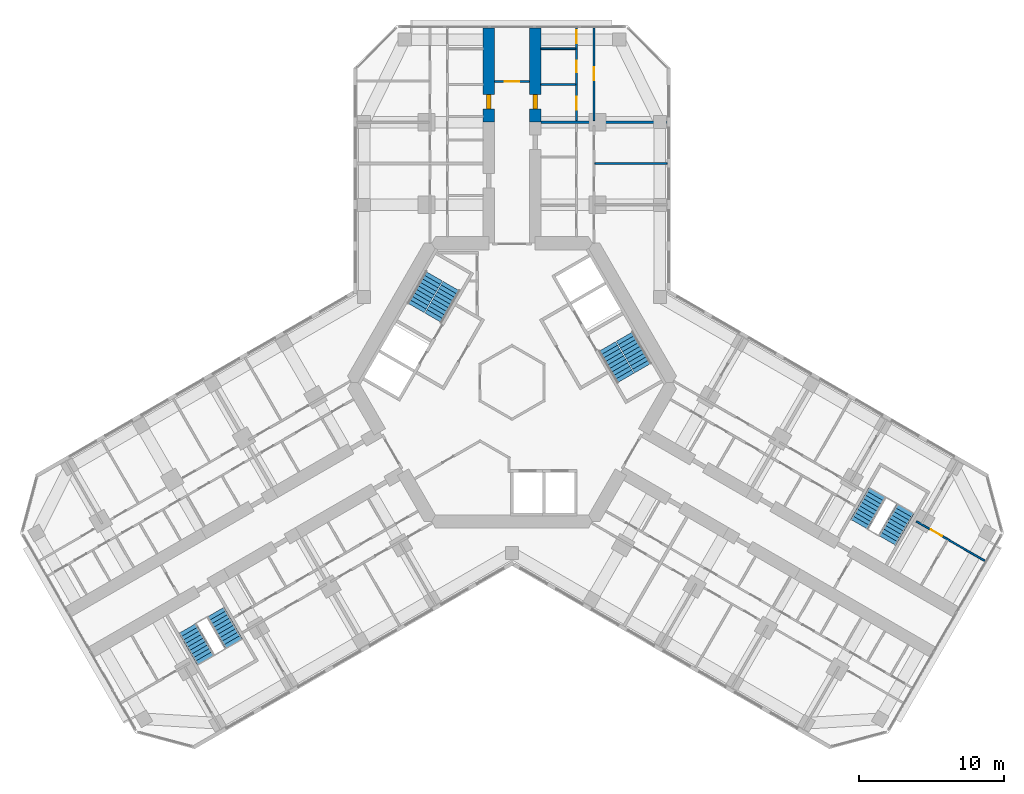
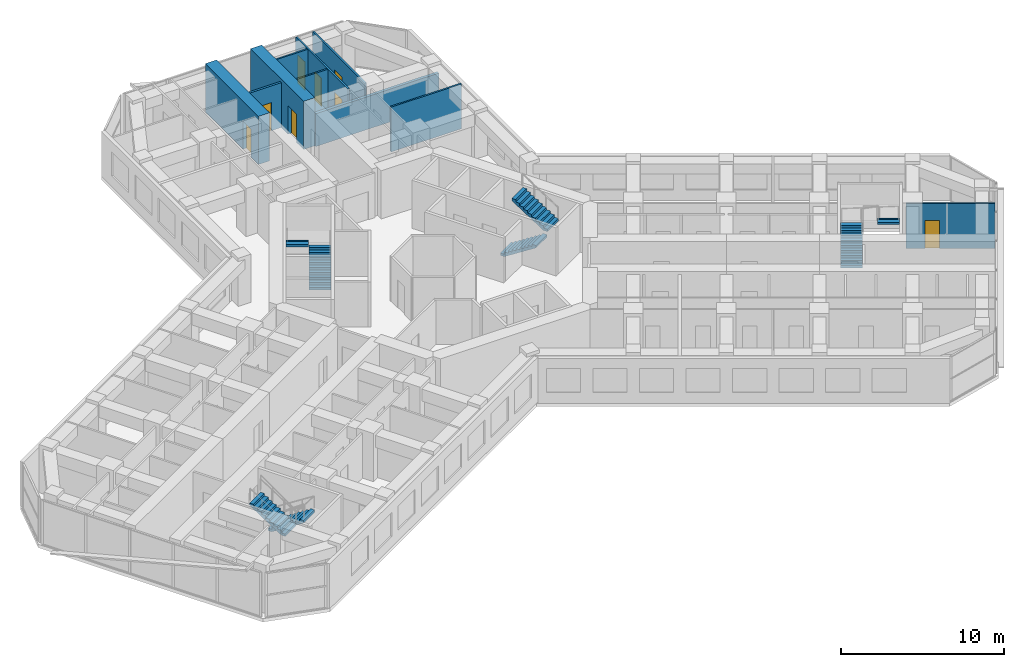
# One storey, part 18 of 19: 10 walls, 8 doors, 8 stair flights, 8 openings, 4 elements without a shape of their own.
"""IFC4 building model written with IfcOpenShell, lengths in metres."""

import ifcopenshell
import ifcopenshell.guid

model = None  # the IFC model being written
_history = None  # IfcOwnerHistory: only IFC2X3 demands one
_inside = {}  # id of a spatial element -> (the spatial element, [elements in it])
_under = {}  # id of a project, library or spatial element -> (it, [spatial elements below it])
_declared = {}  # id of a project -> (the project, [libraries it declares])
_typed = {}  # id of a type object -> (the type object, [elements of that type])
_made_of = {}  # id of a material, layer set ... -> (it, [elements and type objects made of it])


def new_model(schema):
    """Start an empty IFC model of exactly this schema.

    Asked for "IFC4X3", IfcOpenShell would pick the latest addendum, in which some entities
    have other attributes; the version numbers below select the first issue.
    IFC2X3 requires an IfcOwnerHistory on every rooted entity: one is made here for all.
    """
    global model, _history
    if schema == "IFC4X3":
        model = ifcopenshell.file(schema_version=(4, 3, 0, 0))
    else:
        model = ifcopenshell.file(schema=schema)
    _inside.clear()
    _under.clear()
    _declared.clear()
    _typed.clear()
    _made_of.clear()
    _history = None
    if model.schema == "IFC2X3":
        org = make("IfcOrganization", Name="unknown")
        user = make(
            "IfcPersonAndOrganization",
            ThePerson=make("IfcPerson", FamilyName="unknown"),
            TheOrganization=org,
        )
        app = make(
            "IfcApplication",
            ApplicationDeveloper=org,
            Version="unknown",
            ApplicationFullName="unknown",
            ApplicationIdentifier="unknown",
        )
        _history = make(
            "IfcOwnerHistory",
            OwningUser=user,
            OwningApplication=app,
            ChangeAction="ADDED",
            CreationDate=0,
        )
    return model


def make(cls, **values):
    """One entity of the class cls with the attributes given. An attribute that is None is left unset."""
    return model.create_entity(
        cls, **{name: value for name, value in values.items() if value is not None}
    )


def rooted(cls, **values):
    """An entity with a GlobalId (a new one), such as an element, a storey or a relation."""
    return make(cls, GlobalId=ifcopenshell.guid.new(), OwnerHistory=_history, **values)


def si_unit(unit_type, name, prefix=None):
    """IfcSIUnit, for example si_unit("LENGTHUNIT", "METRE", prefix="MILLI")."""
    return make("IfcSIUnit", UnitType=unit_type, Prefix=prefix, Name=name)


def assignment(units):
    """IfcUnitAssignment: the units of a project."""
    return None if units is None else make("IfcUnitAssignment", Units=units)


def point(xyz):
    """IfcCartesianPoint."""
    return None if xyz is None else make("IfcCartesianPoint", Coordinates=xyz)


def direction(xyz):
    """IfcDirection."""
    return None if xyz is None else make("IfcDirection", DirectionRatios=xyz)


def frame(location, z_axis=None, x_axis=None):
    """IfcAxis2Placement3D, a coordinate frame: its origin and axes. An axis left out is left unset."""
    return make(
        "IfcAxis2Placement3D",
        Location=point(location),
        Axis=direction(z_axis),
        RefDirection=direction(x_axis),
    )


def frame_2d(location, x_axis=None):
    """IfcAxis2Placement2D, a coordinate frame in the plane: its origin and x axis."""
    return make(
        "IfcAxis2Placement2D", Location=point(location), RefDirection=direction(x_axis)
    )


def origin():
    """The frame at (0, 0, 0) with its axes left unset."""
    return frame((0.0, 0.0, 0.0))


def place(relative_to, where):
    """IfcLocalPlacement: puts the frame where relative to a parent placement (None: the world)."""
    return make(
        "IfcLocalPlacement", PlacementRelTo=relative_to, RelativePlacement=where
    )


def context(
    kind, dimensions, precision=None, world=None, true_north=None, identifier=None
):
    """IfcGeometricRepresentationContext, for example the 3D "Model" context."""
    return make(
        "IfcGeometricRepresentationContext",
        ContextIdentifier=identifier,
        ContextType=kind,
        CoordinateSpaceDimension=dimensions,
        Precision=precision,
        WorldCoordinateSystem=world,
        TrueNorth=true_north,
    )


def subcontext(parent, identifier, kind, view, scale=None):
    """IfcGeometricRepresentationSubContext, for example "Body" below "Model"."""
    return make(
        "IfcGeometricRepresentationSubContext",
        ContextIdentifier=identifier,
        ContextType=kind,
        ParentContext=parent,
        TargetScale=scale,
        TargetView=view,
    )


def project(units=None, contexts=None):
    """IfcProject with its units and contexts."""
    return rooted(
        "IfcProject",
        Name="project",
        RepresentationContexts=contexts,
        UnitsInContext=assignment(units),
    )


def spatial(cls, under=None, at=None, **own):
    """A site, building, storey or space (cls), placed at a placement, below another one or the project."""
    s = rooted(cls, ObjectPlacement=at, **own)
    if under is not None:
        _under.setdefault(under.id(), (under, []))[1].append(s)
    return s


def polyline(points):
    """IfcPolyline through the points."""
    return make("IfcPolyline", Points=[point(p) for p in points])


def profile(cls, at=None, kind="AREA", **sizes):
    """A parametric profile (cls). Its sizes go by their IFC names, for example OverallWidth=200.0."""
    return make(cls, ProfileType=kind, Position=at, **sizes)


def rectangle(**sizes):
    """IfcRectangleProfileDef."""
    return profile("IfcRectangleProfileDef", **sizes)


def outline(outer, holes=None, kind="AREA"):
    """IfcArbitraryClosedProfileDef: a profile drawn as a closed curve; with holes, ...WithVoids."""
    if holes is None:
        return make("IfcArbitraryClosedProfileDef", ProfileType=kind, OuterCurve=outer)
    return make(
        "IfcArbitraryProfileDefWithVoids",
        ProfileType=kind,
        OuterCurve=outer,
        InnerCurves=holes,
    )


def extrude(swept, where, along, depth):
    """IfcExtrudedAreaSolid: the profile swept, set in the frame where, extruded along a direction by depth."""
    return make(
        "IfcExtrudedAreaSolid",
        SweptArea=swept,
        Position=where,
        ExtrudedDirection=direction(along),
        Depth=depth,
    )


def shape(context_of_items, identifier, shape_type, items):
    """IfcShapeRepresentation: the items that make up one representation, for example the "Body"."""
    return make(
        "IfcShapeRepresentation",
        ContextOfItems=context_of_items,
        RepresentationIdentifier=identifier,
        RepresentationType=shape_type,
        Items=items,
    )


def material(Name=None, Category=None):
    """IfcMaterial."""
    return make("IfcMaterial", Name=Name, Category=Category)


def layer(
    of_material, thickness, ventilated=None, Name=None, Category=None, Priority=None
):
    """IfcMaterialLayer: one layer of a wall or slab, of a material (None: an air gap)."""
    return make(
        "IfcMaterialLayer",
        Material=of_material,
        LayerThickness=thickness,
        IsVentilated=ventilated,
        Name=Name,
        Category=Category,
        Priority=Priority,
    )


def layer_set(layers, Name=None):
    """IfcMaterialLayerSet."""
    return make("IfcMaterialLayerSet", MaterialLayers=layers, LayerSetName=Name)


def made_of(thing, what):
    """Note that an element or type object is made of a material, layer set ...; save() writes the relation."""
    if what is not None:
        _made_of.setdefault(what.id(), (what, []))[1].append(thing)
    return thing


def type_object(cls, material=None, **own):
    """A type object (cls), such as IfcWallType, which elements share."""
    return made_of(rooted(cls, **own), material)


def element(
    cls,
    number,
    at=None,
    inside=None,
    cuts=None,
    type_object=None,
    material=None,
    context=None,
    identifier="Body",
    shape_type=None,
    held_by="IfcProductDefinitionShape",
    body=None,
    shapes=None,
    **own,
):
    """One element of the class cls, such as IfcWall. Its Tag is "e" and its number.

    at: its placement. inside: the storey or other place that contains it. cuts: it is an
    opening in that element (IfcRelVoidsElement). A single representation is given by context,
    identifier, shape_type and body (its items); several are given by shapes. held_by: the class
    of the entity that holds the representations. save() writes the other relations.
    """
    e = rooted(cls, Tag="e%d" % number, ObjectPlacement=at, **own)
    if body is not None:
        shapes = [shape(context, identifier, shape_type, body)]
    if shapes is not None:
        e.Representation = make(held_by, Representations=shapes)
    if inside is not None:
        _inside.setdefault(inside.id(), (inside, []))[1].append(e)
    if cuts is not None:
        rooted(
            "IfcRelVoidsElement", RelatingBuildingElement=cuts, RelatedOpeningElement=e
        )
    if type_object is not None:
        _typed.setdefault(type_object.id(), (type_object, []))[1].append(e)
    return made_of(e, material)


def fill(opening, filler):
    """IfcRelFillsElement: the door or window that sits in an opening."""
    return rooted(
        "IfcRelFillsElement",
        RelatingOpeningElement=opening,
        RelatedBuildingElement=filler,
    )


def aggregate(whole, parts):
    """IfcRelAggregates: a whole, such as a stair, and the parts it consists of."""
    return rooted("IfcRelAggregates", RelatingObject=whole, RelatedObjects=parts)


def save(model, path):
    """Write the relations noted so far, then the file.

    IfcRelAggregates (storeys below a building ...), IfcRelContainedInSpatialStructure (elements
    in a storey), IfcRelDefinesByType, IfcRelAssociatesMaterial and IfcRelDeclares: one each for
    every whole, place, type object, material and project.
    """
    for whole, parts in _under.values():
        aggregate(whole, parts)
    for where, things in _inside.values():
        rooted(
            "IfcRelContainedInSpatialStructure",
            RelatedElements=things,
            RelatingStructure=where,
        )
    for kind, things in _typed.values():
        rooted("IfcRelDefinesByType", RelatedObjects=things, RelatingType=kind)
    for what, things in _made_of.values():
        rooted("IfcRelAssociatesMaterial", RelatedObjects=things, RelatingMaterial=what)
    for by, libraries in _declared.values():
        rooted("IfcRelDeclares", RelatingContext=by, RelatedDefinitions=libraries)
    model.write(path)


model = new_model("IFC4")

# Units and contexts
model_context = context("Model", 3, precision=1e-05, world=origin(), true_north=direction((0.0, 1.0)))
body_context = subcontext(model_context, "Body", "Model", "MODEL_VIEW")
ifc_project = project(units=[si_unit("LENGTHUNIT", "METRE"), si_unit("AREAUNIT", "SQUARE_METRE"), si_unit("VOLUMEUNIT", "CUBIC_METRE"), si_unit("PLANEANGLEUNIT", "RADIAN"), si_unit("MASSUNIT", "GRAM", prefix="KILO")], contexts=[model_context])

# Site, building, storey
site_placement = place(None, origin())
site = spatial("IfcSite", under=ifc_project, at=site_placement, CompositionType="ELEMENT")
building_placement = place(site_placement, origin())
building = spatial("IfcBuilding", under=site, at=building_placement, Name="Kosmar Iwan School Tower", CompositionType="ELEMENT")
storey_placement = place(building_placement, frame((0.0, 0.0, 161.60009765625)))
storey = spatial("IfcBuildingStorey", under=building, at=storey_placement, Name="L40", CompositionType="ELEMENT", Elevation=161.60009765625)

# Wall, opening, door
ifc_material_1 = material(Name="Concrete C50/60", Category="concrete")
ifc_layer_1 = layer(ifc_material_1, 0.800048828125)
ifc_layer_set_1 = layer_set([ifc_layer_1], Name="Corridor buttress wall 800")
wall_type_1 = type_object("IfcWallType", Name="Corridor buttress wall 800", PredefinedType="SHEAR", material=ifc_layer_set_1)
wall_1_placement = place(storey_placement, frame((-1.60009765625, 17.949951171875, 0.0), z_axis=(0.0, 0.0, 1.0), x_axis=(0.0, 1.0, 0.0)))
wall_1 = element("IfcWall", 1, at=wall_1_placement, inside=storey, type_object=wall_type_1, Name="Corridor wall AL bay 2", PredefinedType="SHEAR", context=body_context, shape_type="SweptSolid", body=[
    extrude(rectangle(XDim=6.4951171875, YDim=0.800048828125, at=frame_2d((3.24755859375, 0.0))), origin(), (0.0, 0.0, 1.0), 3.599853515625),
])
opening_1_placement = place(wall_1_placement, frame((0.89990234375, 0.0, 0.0)))
opening_1 = element("IfcOpeningElement", 2, at=opening_1_placement, cuts=wall_1, Name="Opening D1", PredefinedType="OPENING", context=body_context, shape_type="SweptSolid", body=[
    extrude(rectangle(XDim=1.0, YDim=2.10009765625, at=frame_2d((0.5, 1.050048828125))), frame((0.0, 0.412109375, 0.0), z_axis=(0.0, -1.0, 0.0), x_axis=(1.0, 0.0, 0.0)), (0.0, 0.0, 1.0), 0.823974609375),
])
ifc_material_2 = material(Name="Timber fire door in steel frame", Category="steel")
door_type_1 = type_object("IfcDoorType", Name="Flat entrance door 1000x2100", OperationType="SINGLE_SWING_LEFT", PredefinedType="DOOR", material=ifc_material_2)
door_1_placement = place(opening_1_placement, origin())
door_1 = element("IfcDoor", 3, at=door_1_placement, inside=storey, type_object=door_type_1, Name="Flat L40-AL2 entrance door", OperationType="SINGLE_SWING_LEFT", OverallHeight=2.10009765625, OverallWidth=1.0, PredefinedType="DOOR", context=body_context, shape_type="SweptSolid", body=[
    extrude(rectangle(XDim=1.0, YDim=2.10009765625, at=frame_2d((0.5, 1.050048828125))), frame((0.0, 0.14990234375, 0.0), z_axis=(0.0, -1.0, 0.0), x_axis=(1.0, 0.0, 0.0)), (0.0, 0.0, 1.0), 0.300048828125),
])
fill(opening_1, door_1)

wall_2_placement = place(storey_placement, frame((1.60009765625, 17.949951171875, 0.0), z_axis=(0.0, 0.0, 1.0), x_axis=(0.0, 1.0, 0.0)))
wall_2 = element("IfcWall", 4, at=wall_2_placement, inside=storey, type_object=wall_type_1, Name="Corridor wall AR bay 2", PredefinedType="SHEAR", context=body_context, shape_type="SweptSolid", body=[
    extrude(rectangle(XDim=6.4951171875, YDim=0.800048828125, at=frame_2d((3.24755859375, 0.0))), origin(), (0.0, 0.0, 1.0), 3.599853515625),
])
opening_2_placement = place(wall_2_placement, frame((0.89990234375, 0.0, 0.0)))
opening_2 = element("IfcOpeningElement", 5, at=opening_2_placement, cuts=wall_2, Name="Opening D1", PredefinedType="OPENING", context=body_context, shape_type="SweptSolid", body=[
    extrude(rectangle(XDim=1.0, YDim=2.10009765625, at=frame_2d((0.5, 1.050048828125))), frame((0.0, 0.412109375, 0.0), z_axis=(0.0, -1.0, 0.0), x_axis=(1.0, 0.0, 0.0)), (0.0, 0.0, 1.0), 0.823974609375),
])
door_2_placement = place(opening_2_placement, origin())
door_2 = element("IfcDoor", 6, at=door_2_placement, inside=storey, type_object=door_type_1, Name="Flat L40-AR2 entrance door", OperationType="SINGLE_SWING_RIGHT", OverallHeight=2.10009765625, OverallWidth=1.0, PredefinedType="DOOR", context=body_context, shape_type="SweptSolid", body=[
    extrude(rectangle(XDim=1.0, YDim=2.10009765625, at=frame_2d((0.5, 1.050048828125))), frame((0.0, 0.14990234375, 0.0), z_axis=(0.0, -1.0, 0.0), x_axis=(1.0, 0.0, 0.0)), (0.0, 0.0, 1.0), 0.300048828125),
])
fill(opening_2, door_2)

ifc_material_3 = material(Name="Gypsum board on steel studs, fire-rated", Category="steel")
ifc_layer_2 = layer(ifc_material_3, 0.14990234375)
ifc_layer_set_2 = layer_set([ifc_layer_2], Name="Corridor end wall 150")
wall_type_2 = type_object("IfcWallType", Name="Corridor end wall 150", PredefinedType="PARTITIONING", material=ifc_layer_set_2)
wall_3_placement = place(storey_placement, frame((1.199951171875, 20.75, 0.0), z_axis=(0.0, 0.0, 1.0), x_axis=(-1.0, 0.0, 0.0)))
wall_3 = element("IfcWall", 7, at=wall_3_placement, inside=storey, type_object=wall_type_2, Name="Partition L40-A-CE", PredefinedType="PARTITIONING", context=body_context, shape_type="SweptSolid", body=[
    extrude(rectangle(XDim=2.39990234375, YDim=0.14990234375, at=frame_2d((1.199951171875, 0.0))), origin(), (0.0, 0.0, 1.0), 3.349853515625),
])
opening_3_placement = place(wall_3_placement, frame((0.699951171875, 0.0, 0.0)))
opening_3 = element("IfcOpeningElement", 8, at=opening_3_placement, cuts=wall_3, Name="Opening D13", PredefinedType="OPENING", context=body_context, shape_type="SweptSolid", body=[
    extrude(rectangle(XDim=1.0, YDim=2.10009765625, at=frame_2d((0.5, 1.050048828125))), frame((0.0, 0.0869140625, 0.0), z_axis=(0.0, -1.0, 0.0), x_axis=(1.0, 0.0, 0.0)), (0.0, 0.0, 1.0), 0.173828125),
])
ifc_material_4 = material(Name="Timber fire door with vision panel", Category="wood")
door_type_2 = type_object("IfcDoorType", Name="Corridor end door 1000x2100", OperationType="SINGLE_SWING_LEFT", PredefinedType="DOOR", material=ifc_material_4)
door_3_placement = place(opening_3_placement, origin())
door_3 = element("IfcDoor", 9, at=door_3_placement, inside=storey, type_object=door_type_2, Name="Prayer room door L40-A", OperationType="SINGLE_SWING_RIGHT", OverallHeight=2.10009765625, OverallWidth=1.0, PredefinedType="DOOR", context=body_context, shape_type="SweptSolid", body=[
    extrude(rectangle(XDim=1.0, YDim=2.10009765625, at=frame_2d((0.5, 1.050048828125))), frame((0.0, 0.02490234375, 0.0), z_axis=(0.0, -1.0, 0.0), x_axis=(1.0, 0.0, 0.0)), (0.0, 0.0, 1.0), 0.050048828125),
])
fill(opening_3, door_3)

# Wall
ifc_material_5 = material(Name="Gypsum board on steel studs", Category="steel")
ifc_layer_3 = layer(ifc_material_5, 0.1201171875)
ifc_layer_set_3 = layer_set([ifc_layer_3], Name="Dwelling partition 120")
wall_type_3 = type_object("IfcWallType", Name="Dwelling partition 120", PredefinedType="PARTITIONING", material=ifc_layer_set_3)
wall_4_placement = place(storey_placement, frame((5.7099609375, 15.10009765625, 0.0), z_axis=(0.0, 0.0, 1.0), x_axis=(1.0, 0.0, 0.0)))
element("IfcWall", 10, at=wall_4_placement, inside=storey, type_object=wall_type_3, Name="Partition L40-AR1-X2", PredefinedType="PARTITIONING", context=body_context, shape_type="SweptSolid", body=[
    extrude(rectangle(XDim=4.989990234375, YDim=0.1201171875, at=frame_2d((2.4951171875, 0.0))), origin(), (0.0, 0.0, 1.0), 3.349853515625),
])

# Wall, openings, doors
wall_5_placement = place(storey_placement, frame((4.449951171875, 18.050048828125, 0.0), z_axis=(0.0, 0.0, 1.0), x_axis=(0.0, 1.0, 0.0)))
wall_5 = element("IfcWall", 11, at=wall_5_placement, inside=storey, type_object=wall_type_3, Name="Partition L40-AR2-W1", PredefinedType="PARTITIONING", context=body_context, shape_type="SweptSolid", body=[
    extrude(rectangle(XDim=6.39501953125, YDim=0.1201171875, at=frame_2d((3.197509765625, 0.0))), origin(), (0.0, 0.0, 1.0), 3.349853515625),
])
opening_4_placement = place(wall_5_placement, frame((0.75, 0.0, 0.0)))
opening_4 = element("IfcOpeningElement", 12, at=opening_4_placement, cuts=wall_5, Name="Opening D2", PredefinedType="OPENING", context=body_context, shape_type="SweptSolid", body=[
    extrude(rectangle(XDim=0.89990234375, YDim=2.10009765625, at=frame_2d((0.449951171875, 1.050048828125))), frame((0.0, 0.072021484375, 0.0), z_axis=(0.0, -1.0, 0.0), x_axis=(1.0, 0.0, 0.0)), (0.0, 0.0, 1.0), 0.14404296875),
])
opening_5_placement = place(wall_5_placement, frame((3.330078125, 0.0, 0.0)))
opening_5 = element("IfcOpeningElement", 13, at=opening_5_placement, cuts=wall_5, Name="Opening D3", PredefinedType="OPENING", context=body_context, shape_type="SweptSolid", body=[
    extrude(rectangle(XDim=0.800048828125, YDim=2.10009765625, at=frame_2d((0.39990234375, 1.050048828125))), frame((0.0, 0.072021484375, 0.0), z_axis=(0.0, -1.0, 0.0), x_axis=(1.0, 0.0, 0.0)), (0.0, 0.0, 1.0), 0.14404296875),
])
opening_6_placement = place(wall_5_placement, frame((5.330078125, 0.0, 0.0)))
opening_6 = element("IfcOpeningElement", 14, at=opening_6_placement, cuts=wall_5, Name="Opening D2", PredefinedType="OPENING", context=body_context, shape_type="SweptSolid", body=[
    extrude(rectangle(XDim=0.89990234375, YDim=2.10009765625, at=frame_2d((0.449951171875, 1.050048828125))), frame((0.0, 0.072021484375, 0.0), z_axis=(0.0, -1.0, 0.0), x_axis=(1.0, 0.0, 0.0)), (0.0, 0.0, 1.0), 0.14404296875),
])
ifc_material_6 = material(Name="Timber door in timber frame", Category="wood")
door_type_3 = type_object("IfcDoorType", Name="Internal door 900x2100", OperationType="SINGLE_SWING_LEFT", PredefinedType="DOOR", material=ifc_material_6)
door_4_placement = place(opening_4_placement, origin())
door_4 = element("IfcDoor", 15, at=door_4_placement, inside=storey, type_object=door_type_3, Name="Entrance hall door L40-AR2-S1", OperationType="SINGLE_SWING_LEFT", OverallHeight=2.10009765625, OverallWidth=0.89990234375, PredefinedType="DOOR", context=body_context, shape_type="SweptSolid", body=[
    extrude(rectangle(XDim=0.89990234375, YDim=2.10009765625, at=frame_2d((0.449951171875, 1.050048828125))), frame((0.0, 0.02490234375, 0.0), z_axis=(0.0, -1.0, 0.0), x_axis=(1.0, 0.0, 0.0)), (0.0, 0.0, 1.0), 0.050048828125),
])
fill(opening_4, door_4)
door_5_placement = place(opening_6_placement, origin())
door_5 = element("IfcDoor", 16, at=door_5_placement, inside=storey, type_object=door_type_3, Name="Pantry door L40-AR2-S3", OperationType="SINGLE_SWING_RIGHT", OverallHeight=2.10009765625, OverallWidth=0.89990234375, PredefinedType="DOOR", context=body_context, shape_type="SweptSolid", body=[
    extrude(rectangle(XDim=0.89990234375, YDim=2.10009765625, at=frame_2d((0.449951171875, 1.050048828125))), frame((0.0, 0.02490234375, 0.0), z_axis=(0.0, -1.0, 0.0), x_axis=(1.0, 0.0, 0.0)), (0.0, 0.0, 1.0), 0.050048828125),
])
fill(opening_6, door_5)
ifc_material_7 = material(Name="Timber door in timber frame", Category="wood")
door_type_4 = type_object("IfcDoorType", Name="Sanitary room door 800x2100", OperationType="SINGLE_SWING_LEFT", PredefinedType="DOOR", material=ifc_material_7)
door_6_placement = place(opening_5_placement, origin())
door_6 = element("IfcDoor", 17, at=door_6_placement, inside=storey, type_object=door_type_4, Name="Bathroom door L40-AR2-S2", OperationType="SINGLE_SWING_RIGHT", OverallHeight=2.10009765625, OverallWidth=0.800048828125, PredefinedType="DOOR", context=body_context, shape_type="SweptSolid", body=[
    extrude(rectangle(XDim=0.800048828125, YDim=2.10009765625, at=frame_2d((0.39990234375, 1.050048828125))), frame((0.0, 0.02490234375, 0.0), z_axis=(0.0, -1.0, 0.0), x_axis=(1.0, 0.0, 0.0)), (0.0, 0.0, 1.0), 0.050048828125),
])
fill(opening_5, door_6)

# Wall, opening, door
wall_6_placement = place(storey_placement, frame((5.64990234375, 18.050048828125, 0.0), z_axis=(0.0, 0.0, 1.0), x_axis=(0.0, 1.0, 0.0)))
wall_6 = element("IfcWall", 18, at=wall_6_placement, inside=storey, type_object=wall_type_3, Name="Partition L40-AR2-W2", PredefinedType="PARTITIONING", context=body_context, shape_type="SweptSolid", body=[
    extrude(rectangle(XDim=6.39501953125, YDim=0.1201171875, at=frame_2d((3.197509765625, 0.0))), origin(), (0.0, 0.0, 1.0), 3.349853515625),
])
opening_7_placement = place(wall_6_placement, frame((2.800048828125, 0.0, 0.0)))
opening_7 = element("IfcOpeningElement", 19, at=opening_7_placement, cuts=wall_6, Name="Opening D2", PredefinedType="OPENING", context=body_context, shape_type="SweptSolid", body=[
    extrude(rectangle(XDim=0.89990234375, YDim=2.10009765625, at=frame_2d((0.449951171875, 1.050048828125))), frame((0.0, 0.072021484375, 0.0), z_axis=(0.0, -1.0, 0.0), x_axis=(1.0, 0.0, 0.0)), (0.0, 0.0, 1.0), 0.14404296875),
])
door_7_placement = place(opening_7_placement, origin())
door_7 = element("IfcDoor", 20, at=door_7_placement, inside=storey, type_object=door_type_3, Name="Studio living room and kitchen door L40-AR2-F1", OperationType="SINGLE_SWING_RIGHT", OverallHeight=2.10009765625, OverallWidth=0.89990234375, PredefinedType="DOOR", context=body_context, shape_type="SweptSolid", body=[
    extrude(rectangle(XDim=0.89990234375, YDim=2.10009765625, at=frame_2d((0.449951171875, 1.050048828125))), frame((0.0, 0.02490234375, 0.0), z_axis=(0.0, -1.0, 0.0), x_axis=(1.0, 0.0, 0.0)), (0.0, 0.0, 1.0), 0.050048828125),
])
fill(opening_7, door_7)

# Walls
for number, where, z_axis, x_axis, name in (
    (21, (2.0, 20.550048828125, 0.0), (0.0, 0.0, 1.0), (1.0, 0.0, 0.0), "Partition L40-AR2-Y1"),
    (22, (2.0, 23.010009765625, 0.0), (0.0, 0.0, 1.0), (1.0, 0.0, 0.0), "Partition L40-AR2-Y2"),
):
    element("IfcWall", number, at=place(storey_placement, frame(where, z_axis=z_axis, x_axis=x_axis)), inside=storey, type_object=wall_type_3, Name=name, PredefinedType="PARTITIONING", context=body_context, shape_type="SweptSolid", body=[
        extrude(rectangle(XDim=2.389892578125, YDim=0.1201171875, at=frame_2d((1.19482421875, 0.0))), origin(), (0.0, 0.0, 1.0), 3.349853515625),
    ])

# Wall, opening, door
wall_7_placement = place(storey_placement, frame((27.896484375, -9.58203125, 0.0), z_axis=(0.0, 0.0, 1.0), x_axis=(0.866035508231, -0.499982498177, 0.0)))
wall_7 = element("IfcWall", 23, at=wall_7_placement, inside=storey, type_object=wall_type_3, Name="Partition L40-CL2-TW", PredefinedType="PARTITIONING", context=body_context, shape_type="SweptSolid", body=[
    extrude(rectangle(XDim=5.445068359375, YDim=0.1201171875, at=frame_2d((2.72265625, 0.0))), origin(), (0.0, 0.0, 1.0), 3.349853515625),
])
opening_8_placement = place(wall_7_placement, frame((1.14990234375, 0.0, 0.0)))
opening_8 = element("IfcOpeningElement", 24, at=opening_8_placement, cuts=wall_7, Name="Opening D2", PredefinedType="OPENING", context=body_context, shape_type="SweptSolid", body=[
    extrude(rectangle(XDim=0.89990234375, YDim=2.10009765625, at=frame_2d((0.449951171875, 1.050048828125))), frame((0.0, 0.072021484375, 0.0), z_axis=(0.0, -1.0, 0.0), x_axis=(1.0, 0.0, 0.0)), (0.0, 0.0, 1.0), 0.14404296875),
])
door_8_placement = place(opening_8_placement, origin())
door_8 = element("IfcDoor", 25, at=door_8_placement, inside=storey, type_object=door_type_3, Name="Dressing room door L40-CL2-T3", OperationType="SINGLE_SWING_LEFT", OverallHeight=2.10009765625, OverallWidth=0.89990234375, PredefinedType="DOOR", context=body_context, shape_type="SweptSolid", body=[
    extrude(rectangle(XDim=0.89990234375, YDim=2.10009765625, at=frame_2d((0.449951171875, 1.050048828125))), frame((0.0, 0.02490234375, 0.0), z_axis=(0.0, -1.0, 0.0), x_axis=(1.0, 0.0, 0.0)), (0.0, 0.0, 1.0), 0.050048828125),
])
fill(opening_8, door_8)

# Wall
ifc_material_8 = material(Name="Concrete block masonry", Category="masonry")
ifc_layer_4 = layer(ifc_material_8, 0.199951171875)
ifc_layer_set_4 = layer_set([ifc_layer_4], Name="Party wall 200")
wall_type_4 = type_object("IfcWallType", Name="Party wall 200", PredefinedType="PARTITIONING", material=ifc_layer_set_4)
wall_8_placement = place(storey_placement, frame((2.0, 17.949951171875, 0.0), z_axis=(0.0, 0.0, 1.0), x_axis=(1.0, 0.0, 0.0)))
element("IfcWall", 26, at=wall_8_placement, inside=storey, type_object=wall_type_4, Name="Partition L40-AR2-PW", PredefinedType="PARTITIONING", context=body_context, shape_type="SweptSolid", body=[
    extrude(rectangle(XDim=8.699951171875, YDim=0.199951171875, at=frame_2d((4.35009765625, 0.0))), origin(), (0.0, 0.0, 1.0), 2.449951171875),
])

# Stair, stair flights
ifc_material_9 = material(Name="Concrete C35/45", Category="concrete")
stair_type_1 = type_object("IfcStairType", Name="Escape stair 3600", PredefinedType="HALF_TURN_STAIR", material=ifc_material_9)
stair_1_placement = place(storey_placement, origin())
stair_1 = element("IfcStair", 27, at=stair_1_placement, inside=storey, type_object=stair_type_1, Name="Stair WS2 L40", PredefinedType="HALF_TURN_STAIR")
ifc_material_10 = material(Name="Concrete C35/45", Category="concrete")
stair_flight_type_1 = type_object("IfcStairFlightType", Name="Escape stair flight 1350", PredefinedType="STRAIGHT", material=ifc_material_10)
stair_flight_1_placement = place(storey_placement, frame((-20.44189453125, -15.843505859375, 0.0), z_axis=(0.0, 0.0, 1.0), x_axis=(0.5, -0.866025403784, 0.0)))
stair_flight_1 = element("IfcStairFlight", 28, at=stair_flight_1_placement, type_object=stair_flight_type_1, Name="WS2 flight 1", NumberOfRisers=10, NumberOfTreads=9, PredefinedType="STRAIGHT", RiserHeight=0.18, TreadLength=0.28, context=body_context, shape_type="SweptSolid", body=[
    extrude(outline(polyline([(0.0, 0.0), (0.0, 0.179931640625), (0.280029296875, 0.179931640625), (0.280029296875, 0.360107421875), (0.56005859375, 0.360107421875), (0.56005859375, 0.5400390625), (0.840087890625, 0.5400390625), (0.840087890625, 0.719970703125), (1.1201171875, 0.719970703125), (1.1201171875, 0.89990234375), (1.39990234375, 0.89990234375), (1.39990234375, 1.080078125), (1.679931640625, 1.080078125), (1.679931640625, 1.260009765625), (1.9599609375, 1.260009765625), (1.9599609375, 1.43994140625), (2.239990234375, 1.43994140625), (2.239990234375, 1.6201171875), (2.52001953125, 1.6201171875), (2.52001953125, 1.800048828125), (2.52001953125, 1.44189453125), (0.277099609375, 0.0), (0.0, 0.0)])), frame((0.0, 0.675048828125, 0.0), z_axis=(0.0, -1.0, 0.0), x_axis=(1.0, 0.0, 0.0)), (0.0, 0.0, 1.0), 1.35009765625),
])
stair_flight_2_placement = place(storey_placement, frame((-21.13037109375, -19.15087890625, 1.7998046875), z_axis=(0.0, 0.0, 1.0), x_axis=(-0.5, 0.866025403784, 0.0)))
stair_flight_2 = element("IfcStairFlight", 29, at=stair_flight_2_placement, type_object=stair_flight_type_1, Name="WS2 flight 2", NumberOfRisers=10, NumberOfTreads=9, PredefinedType="STRAIGHT", RiserHeight=0.18, TreadLength=0.28, context=body_context, shape_type="SweptSolid", body=[
    extrude(outline(polyline([(0.0, 0.0), (0.0, 0.179931640625), (0.280029296875, 0.179931640625), (0.280029296875, 0.360107421875), (0.56005859375, 0.360107421875), (0.56005859375, 0.5400390625), (0.840087890625, 0.5400390625), (0.840087890625, 0.719970703125), (1.1201171875, 0.719970703125), (1.1201171875, 0.89990234375), (1.39990234375, 0.89990234375), (1.39990234375, 1.080078125), (1.679931640625, 1.080078125), (1.679931640625, 1.260009765625), (1.9599609375, 1.260009765625), (1.9599609375, 1.43994140625), (2.239990234375, 1.43994140625), (2.239990234375, 1.6201171875), (2.52001953125, 1.6201171875), (2.52001953125, 1.800048828125), (2.52001953125, 1.44189453125), (0.277099609375, 0.0), (0.0, 0.0)])), frame((0.0, 0.675048828125, 0.0), z_axis=(0.0, -1.0, 0.0), x_axis=(1.0, 0.0, 0.0)), (0.0, 0.0, 1.0), 1.35009765625),
])
aggregate(stair_1, [stair_flight_1, stair_flight_2])

stair_2_placement = place(storey_placement, origin())
stair_2 = element("IfcStair", 30, at=stair_2_placement, inside=storey, type_object=stair_type_1, Name="Stair WS3 L40", PredefinedType="HALF_TURN_STAIR")
stair_flight_3_placement = place(storey_placement, frame((23.94189453125, -9.781494140625, 0.0), z_axis=(0.0, 0.0, 1.0), x_axis=(0.5, 0.866025403784, 0.0)))
stair_flight_3 = element("IfcStairFlight", 31, at=stair_flight_3_placement, type_object=stair_flight_type_1, Name="WS3 flight 1", NumberOfRisers=10, NumberOfTreads=9, PredefinedType="STRAIGHT", RiserHeight=0.18, TreadLength=0.28, context=body_context, shape_type="SweptSolid", body=[
    extrude(outline(polyline([(0.0, 0.0), (0.0, 0.179931640625), (0.280029296875, 0.179931640625), (0.280029296875, 0.360107421875), (0.56005859375, 0.360107421875), (0.56005859375, 0.5400390625), (0.840087890625, 0.5400390625), (0.840087890625, 0.719970703125), (1.1201171875, 0.719970703125), (1.1201171875, 0.89990234375), (1.39990234375, 0.89990234375), (1.39990234375, 1.080078125), (1.679931640625, 1.080078125), (1.679931640625, 1.260009765625), (1.9599609375, 1.260009765625), (1.9599609375, 1.43994140625), (2.239990234375, 1.43994140625), (2.239990234375, 1.6201171875), (2.52001953125, 1.6201171875), (2.52001953125, 1.800048828125), (2.52001953125, 1.44189453125), (0.277099609375, 0.0), (0.0, 0.0)])), frame((0.0, 0.675048828125, 0.0), z_axis=(0.0, -1.0, 0.0), x_axis=(1.0, 0.0, 0.0)), (0.0, 0.0, 1.0), 1.35009765625),
])
stair_flight_4_placement = place(storey_placement, frame((27.150390625, -8.72412109375, 1.7998046875), z_axis=(0.0, 0.0, 1.0), x_axis=(-0.5, -0.866025403784, 0.0)))
stair_flight_4 = element("IfcStairFlight", 32, at=stair_flight_4_placement, type_object=stair_flight_type_1, Name="WS3 flight 2", NumberOfRisers=10, NumberOfTreads=9, PredefinedType="STRAIGHT", RiserHeight=0.18, TreadLength=0.28, context=body_context, shape_type="SweptSolid", body=[
    extrude(outline(polyline([(0.0, 0.0), (0.0, 0.179931640625), (0.280029296875, 0.179931640625), (0.280029296875, 0.360107421875), (0.56005859375, 0.360107421875), (0.56005859375, 0.5400390625), (0.840087890625, 0.5400390625), (0.840087890625, 0.719970703125), (1.1201171875, 0.719970703125), (1.1201171875, 0.89990234375), (1.39990234375, 0.89990234375), (1.39990234375, 1.080078125), (1.679931640625, 1.080078125), (1.679931640625, 1.260009765625), (1.9599609375, 1.260009765625), (1.9599609375, 1.43994140625), (2.239990234375, 1.43994140625), (2.239990234375, 1.6201171875), (2.52001953125, 1.6201171875), (2.52001953125, 1.800048828125), (2.52001953125, 1.44189453125), (0.277099609375, 0.0), (0.0, 0.0)])), frame((0.0, 0.675048828125, 0.0), z_axis=(0.0, -1.0, 0.0), x_axis=(1.0, 0.0, 0.0)), (0.0, 0.0, 1.0), 1.35009765625),
])
aggregate(stair_2, [stair_flight_3, stair_flight_4])

ifc_material_11 = material(Name="Concrete C35/45", Category="concrete")
stair_type_2 = type_object("IfcStairType", Name="Core stair 2750", PredefinedType="HALF_TURN_STAIR", material=ifc_material_11)
stair_3_placement = place(storey_placement, origin())
stair_3 = element("IfcStair", 33, at=stair_3_placement, inside=storey, type_object=stair_type_2, Name="Stair ST2 L40", PredefinedType="HALF_TURN_STAIR")
ifc_material_12 = material(Name="Concrete C35/45", Category="concrete")
stair_flight_type_2 = type_object("IfcStairFlightType", Name="Stair flight 1350", PredefinedType="STRAIGHT", material=ifc_material_12)
stair_flight_5_placement = place(storey_placement, frame((-5.42724609375, 4.44970703125, 0.0), z_axis=(0.0, 0.0, 1.0), x_axis=(0.5, 0.866025403784, 0.0)))
stair_flight_5 = element("IfcStairFlight", 34, at=stair_flight_5_placement, type_object=stair_flight_type_2, Name="ST2 flight 1", NumberOfRisers=10, NumberOfTreads=9, PredefinedType="STRAIGHT", RiserHeight=0.18, TreadLength=0.28, context=body_context, shape_type="SweptSolid", body=[
    extrude(outline(polyline([(0.0, 0.0), (0.0, 0.179931640625), (0.280029296875, 0.179931640625), (0.280029296875, 0.360107421875), (0.56005859375, 0.360107421875), (0.56005859375, 0.5400390625), (0.840087890625, 0.5400390625), (0.840087890625, 0.719970703125), (1.1201171875, 0.719970703125), (1.1201171875, 0.89990234375), (1.39990234375, 0.89990234375), (1.39990234375, 1.080078125), (1.679931640625, 1.080078125), (1.679931640625, 1.260009765625), (1.9599609375, 1.260009765625), (1.9599609375, 1.43994140625), (2.239990234375, 1.43994140625), (2.239990234375, 1.6201171875), (2.52001953125, 1.6201171875), (2.52001953125, 1.800048828125), (2.52001953125, 1.44189453125), (0.277099609375, 0.0), (0.0, 0.0)])), frame((0.0, 0.675048828125, 0.0), z_axis=(0.0, -1.0, 0.0), x_axis=(1.0, 0.0, 0.0)), (0.0, 0.0, 1.0), 1.35009765625),
])
stair_flight_6_placement = place(storey_placement, frame((-5.379638671875, 7.33203125, 1.7998046875), z_axis=(0.0, 0.0, 1.0), x_axis=(-0.5, -0.866025403784, 0.0)))
stair_flight_6 = element("IfcStairFlight", 35, at=stair_flight_6_placement, type_object=stair_flight_type_2, Name="ST2 flight 2", NumberOfRisers=10, NumberOfTreads=9, PredefinedType="STRAIGHT", RiserHeight=0.18, TreadLength=0.28, context=body_context, shape_type="SweptSolid", body=[
    extrude(outline(polyline([(0.0, 0.0), (0.0, 0.179931640625), (0.280029296875, 0.179931640625), (0.280029296875, 0.360107421875), (0.56005859375, 0.360107421875), (0.56005859375, 0.5400390625), (0.840087890625, 0.5400390625), (0.840087890625, 0.719970703125), (1.1201171875, 0.719970703125), (1.1201171875, 0.89990234375), (1.39990234375, 0.89990234375), (1.39990234375, 1.080078125), (1.679931640625, 1.080078125), (1.679931640625, 1.260009765625), (1.9599609375, 1.260009765625), (1.9599609375, 1.43994140625), (2.239990234375, 1.43994140625), (2.239990234375, 1.6201171875), (2.52001953125, 1.6201171875), (2.52001953125, 1.800048828125), (2.52001953125, 1.44189453125), (0.277099609375, 0.0), (0.0, 0.0)])), frame((0.0, 0.675048828125, 0.0), z_axis=(0.0, -1.0, 0.0), x_axis=(1.0, 0.0, 0.0)), (0.0, 0.0, 1.0), 1.35009765625),
])
aggregate(stair_3, [stair_flight_5, stair_flight_6])

stair_4_placement = place(storey_placement, origin())
stair_4 = element("IfcStair", 36, at=stair_4_placement, inside=storey, type_object=stair_type_2, Name="Stair ST1 L40", PredefinedType="HALF_TURN_STAIR")
stair_flight_7_placement = place(storey_placement, frame((6.567138671875, 2.475341796875, 0.0), z_axis=(0.0, 0.0, 1.0), x_axis=(0.5, -0.866025403784, 0.0)))
stair_flight_7 = element("IfcStairFlight", 37, at=stair_flight_7_placement, type_object=stair_flight_type_2, Name="ST1 flight 1", NumberOfRisers=10, NumberOfTreads=9, PredefinedType="STRAIGHT", RiserHeight=0.18, TreadLength=0.28, context=body_context, shape_type="SweptSolid", body=[
    extrude(outline(polyline([(0.0, 0.0), (0.0, 0.179931640625), (0.280029296875, 0.179931640625), (0.280029296875, 0.360107421875), (0.56005859375, 0.360107421875), (0.56005859375, 0.5400390625), (0.840087890625, 0.5400390625), (0.840087890625, 0.719970703125), (1.1201171875, 0.719970703125), (1.1201171875, 0.89990234375), (1.39990234375, 0.89990234375), (1.39990234375, 1.080078125), (1.679931640625, 1.080078125), (1.679931640625, 1.260009765625), (1.9599609375, 1.260009765625), (1.9599609375, 1.43994140625), (2.239990234375, 1.43994140625), (2.239990234375, 1.6201171875), (2.52001953125, 1.6201171875), (2.52001953125, 1.800048828125), (2.52001953125, 1.44189453125), (0.277099609375, 0.0), (0.0, 0.0)])), frame((0.0, 0.675048828125, 0.0), z_axis=(0.0, -1.0, 0.0), x_axis=(1.0, 0.0, 0.0)), (0.0, 0.0, 1.0), 1.35009765625),
])
stair_flight_8_placement = place(storey_placement, frame((9.03955078125, 0.992919921875, 1.7998046875), z_axis=(0.0, 0.0, 1.0), x_axis=(-0.5, 0.866025403784, 0.0)))
stair_flight_8 = element("IfcStairFlight", 38, at=stair_flight_8_placement, type_object=stair_flight_type_2, Name="ST1 flight 2", NumberOfRisers=10, NumberOfTreads=9, PredefinedType="STRAIGHT", RiserHeight=0.18, TreadLength=0.28, context=body_context, shape_type="SweptSolid", body=[
    extrude(outline(polyline([(0.0, 0.0), (0.0, 0.179931640625), (0.280029296875, 0.179931640625), (0.280029296875, 0.360107421875), (0.56005859375, 0.360107421875), (0.56005859375, 0.5400390625), (0.840087890625, 0.5400390625), (0.840087890625, 0.719970703125), (1.1201171875, 0.719970703125), (1.1201171875, 0.89990234375), (1.39990234375, 0.89990234375), (1.39990234375, 1.080078125), (1.679931640625, 1.080078125), (1.679931640625, 1.260009765625), (1.9599609375, 1.260009765625), (1.9599609375, 1.43994140625), (2.239990234375, 1.43994140625), (2.239990234375, 1.6201171875), (2.52001953125, 1.6201171875), (2.52001953125, 1.800048828125), (2.52001953125, 1.44189453125), (0.277099609375, 0.0), (0.0, 0.0)])), frame((0.0, 0.675048828125, 0.0), z_axis=(0.0, -1.0, 0.0), x_axis=(1.0, 0.0, 0.0)), (0.0, 0.0, 1.0), 1.35009765625),
])
aggregate(stair_4, [stair_flight_7, stair_flight_8])

save(model, "model.ifc")
